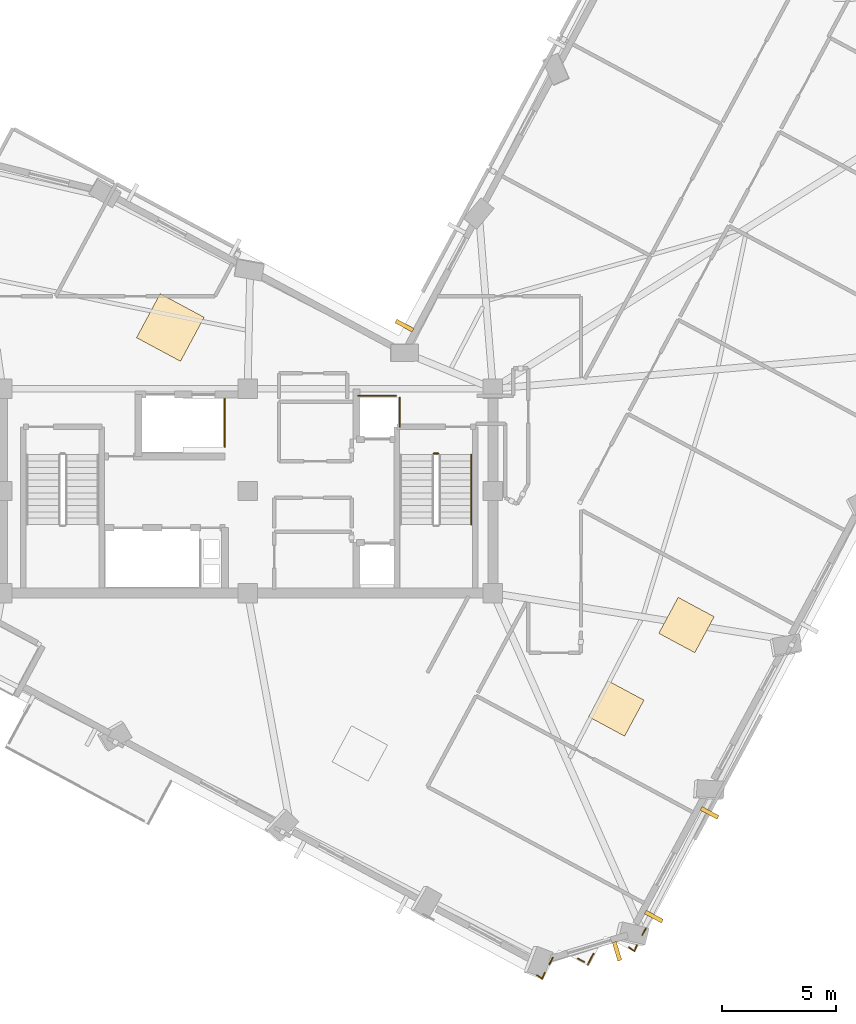
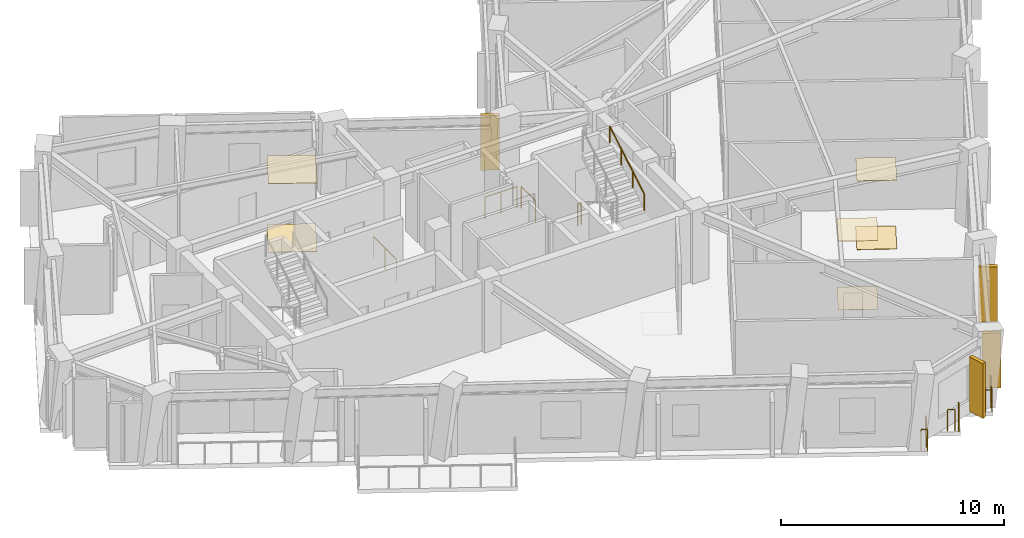
# One storey, part 12 of 14: 11 railings, 6 coverings, 4 shading devices.
"""IFC4 building model written with IfcOpenShell, lengths in metres."""

from ifc_helpers import new_model, si_unit, direction, frame, origin, origin_2d, place, context, subcontext, project, spatial, rectangle, circle, extrude, material, layer, layer_set, type_object, element, save


model = new_model("IFC4")

# Units and contexts
model_context = context("Model", 3, precision=1e-05, world=origin(), true_north=direction((0.0, 1.0)))
body_context = subcontext(model_context, "Body", "Model", "MODEL_VIEW")
ifc_project = project(units=[si_unit("LENGTHUNIT", "METRE"), si_unit("AREAUNIT", "SQUARE_METRE"), si_unit("VOLUMEUNIT", "CUBIC_METRE"), si_unit("PLANEANGLEUNIT", "RADIAN"), si_unit("MASSUNIT", "GRAM", prefix="KILO")], contexts=[model_context])

# Site, building, storey
site_placement = place(None, origin())
site = spatial("IfcSite", under=ifc_project, at=site_placement, CompositionType="ELEMENT")
building_placement = place(site_placement, origin())
building = spatial("IfcBuilding", under=site, at=building_placement, Name="Gaonmaruhae Medical Tower", CompositionType="ELEMENT")
storey_placement = place(building_placement, frame((0.0, 0.0, 288.60009765625)))
storey = spatial("IfcBuildingStorey", under=building, at=storey_placement, Name="L69", CompositionType="ELEMENT", Elevation=288.60009765625)

# Coverings
ifc_material_1 = material(Name="Acoustic mineral ceiling tile", Category="finish")
ifc_layer_1 = layer(ifc_material_1, 0.02490234375)
ifc_layer_set_1 = layer_set([ifc_layer_1], Name="Acoustic mineral ceiling tile")
covering_type_1 = type_object("IfcCoveringType", Name="CLG-01 Antimicrobial Acoustic Mineral Ceiling", PredefinedType="CEILING", material=ifc_layer_set_1)
covering_1_placement = place(storey_placement, frame((21.39599609375, 19.49755859375, 3.7548828125), z_axis=(0.0, 0.0, 1.0), x_axis=(0.473319667185, 0.880890738205, 0.0)))
element("IfcCovering", 1, at=covering_1_placement, inside=storey, type_object=covering_type_1, Name="L69 Clinical Corridor Acoustic Ceiling", PredefinedType="CEILING", context=body_context, shape_type="SweptSolid", body=[
    extrude(rectangle(XDim=2.199951171875, YDim=2.199951171875, at=origin_2d()), origin(), (0.0, 0.0, 1.0), 0.02490234375),
])
for number, where, z_axis, x_axis, name in (
    (2, (41.03515625, 2.720947265625, 3.7548828125), (0.0, 0.0, 1.0), (0.473319667185, 0.880890738205, 0.0), "L69 Clinical Room Acoustic Ceiling 3"),
    (3, (44.1259765625, 6.395751953125, 3.7548828125), (0.0, 0.0, 1.0), (0.473319667185, 0.880890738205, 0.0), "L69 Clinical Room Acoustic Ceiling 4"),
):
    element("IfcCovering", number, at=place(storey_placement, frame(where, z_axis=z_axis, x_axis=x_axis)), inside=storey, type_object=covering_type_1, Name=name, PredefinedType="CEILING", context=body_context, shape_type="SweptSolid", body=[
        extrude(rectangle(XDim=1.800048828125, YDim=1.800048828125, at=origin_2d()), origin(), (0.0, 0.0, 1.0), 0.02490234375),
    ])
ifc_material_2 = material(Name="Seamless clinical vinyl flooring", Category="finish")
ifc_layer_2 = layer(ifc_material_2, 0.014892578125)
ifc_layer_set_2 = layer_set([ifc_layer_2], Name="Seamless clinical vinyl flooring")
covering_type_2 = type_object("IfcCoveringType", Name="FLR-01 Seamless Clinical Antistatic Vinyl Flooring", PredefinedType="FLOORING", material=ifc_layer_set_2)
covering_2_placement = place(storey_placement, frame((21.39599609375, 19.49755859375, 0.00048828125), z_axis=(0.0, 0.0, 1.0), x_axis=(0.473319667185, 0.880890738205, 0.0)))
element("IfcCovering", 4, at=covering_2_placement, inside=storey, type_object=covering_type_2, Name="L69 Clinical Corridor Vinyl Flooring", PredefinedType="FLOORING", context=body_context, shape_type="SweptSolid", body=[
    extrude(rectangle(XDim=2.199951171875, YDim=2.199951171875, at=origin_2d()), origin(), (0.0, 0.0, 1.0), 0.014892578125),
])
for number, where, z_axis, x_axis, name in (
    (5, (41.03515625, 2.720947265625, 0.0), (0.0, 0.0, 1.0), (0.473319667185, 0.880890738205, 0.0), "L69 Clinical Room Vinyl Flooring 3"),
    (6, (44.1259765625, 6.395751953125, 0.0), (0.0, 0.0, 1.0), (0.473319667185, 0.880890738205, 0.0), "L69 Clinical Room Vinyl Flooring 4"),
):
    element("IfcCovering", number, at=place(storey_placement, frame(where, z_axis=z_axis, x_axis=x_axis)), inside=storey, type_object=covering_type_2, Name=name, PredefinedType="FLOORING", context=body_context, shape_type="SweptSolid", body=[
        extrude(rectangle(XDim=1.800048828125, YDim=1.800048828125, at=origin_2d()), origin(), (0.0, 0.0, 1.0), 0.014892578125),
    ])

# Railings
ifc_material_3 = material(Name="Stainless steel 316L and laminated safety glass", Category="steel")
ifc_layer_3 = layer(ifc_material_3, 0.080078125)
ifc_layer_set_3 = layer_set([ifc_layer_3], Name="Stainless steel 316L and laminated safety glass")
railing_type_1 = type_object("IfcRailingType", Name="GD-120 Outdoor Terrace Safety Glass & Steel Balustrade", PredefinedType="BALUSTRADE", material=ifc_layer_set_3)
railing_1_placement = place(storey_placement, frame((42.338134765625, -6.9599609375, 0.0)))
element("IfcRailing", 7, at=railing_1_placement, inside=storey, type_object=railing_type_1, Name="L69 Perimeter Slab Edge Safety Balustrade 05", PredefinedType="BALUSTRADE", context=body_context, shape_type="SweptSolid", body=[
    extrude(circle(Radius=0.02392578125, at=origin_2d()), frame((0.0, 0.0, 1.17578125), z_axis=(-0.473457048557, -0.880816906724, 0.0), x_axis=(0.880816906724, -0.473457048557, 0.0)), (0.0, 0.0, 1.0), 0.33984375),
    extrude(circle(Radius=0.02099609375, at=origin_2d()), origin(), (0.0, 0.0, 1.0), 1.15185546875),
    extrude(circle(Radius=0.02099609375, at=origin_2d()), frame((-0.160888671875, -0.29931640625, 0.0)), (0.0, 0.0, 1.0), 1.15185546875),
])
railing_2_placement = place(storey_placement, frame((40.032958984375, -8.081298828125, 0.0)))
element("IfcRailing", 8, at=railing_2_placement, inside=storey, type_object=railing_type_1, Name="L69 Perimeter Slab Edge Safety Balustrade 06", PredefinedType="BALUSTRADE", context=body_context, shape_type="SweptSolid", body=[
    extrude(circle(Radius=0.02392578125, at=origin_2d()), frame((0.0, 0.0, 1.17578125), z_axis=(-0.473527684699, -0.880778934707, 0.0), x_axis=(0.880778934707, -0.473527684699, 0.0)), (0.0, 0.0, 1.0), 0.559814453125),
    extrude(circle(Radius=0.02099609375, at=origin_2d()), origin(), (0.0, 0.0, 1.0), 1.15185546875),
    extrude(circle(Radius=0.02099609375, at=origin_2d()), frame((-0.26513671875, -0.4931640625, 0.0)), (0.0, 0.0, 1.0), 1.15185546875),
])
railing_3_placement = place(storey_placement, frame((39.6298828125, -8.443603515625, 0.0)))
element("IfcRailing", 9, at=railing_3_placement, inside=storey, type_object=railing_type_1, Name="L69 Perimeter Slab Edge Safety Balustrade 07", PredefinedType="BALUSTRADE", context=body_context, shape_type="SweptSolid", body=[
    extrude(circle(Radius=0.02392578125, at=origin_2d()), frame((0.0, 0.0, 1.17578125), z_axis=(-0.880878962695, 0.473341581822, 0.0), x_axis=(-0.473341581822, -0.880878962695, 0.0)), (0.0, 0.0, 1.0), 0.326416015625),
    extrude(circle(Radius=0.02099609375, at=origin_2d()), origin(), (0.0, 0.0, 1.0), 1.15185546875),
    extrude(circle(Radius=0.02099609375, at=origin_2d()), frame((-0.28759765625, 0.154541015625, 0.0)), (0.0, 0.0, 1.0), 1.15185546875),
])
railing_4_placement = place(storey_placement, frame((38.23828125, -8.252197265625, 0.0)))
element("IfcRailing", 10, at=railing_4_placement, inside=storey, type_object=railing_type_1, Name="L69 Perimeter Slab Edge Safety Balustrade 08", PredefinedType="BALUSTRADE", context=body_context, shape_type="SweptSolid", body=[
    extrude(circle(Radius=0.02392578125, at=origin_2d()), frame((0.0, 0.0, 1.17578125), z_axis=(-0.473921508113, -0.880567092361, 0.0), x_axis=(0.880567092361, -0.473921508113, 0.0)), (0.0, 0.0, 1.0), 0.32666015625),
    extrude(circle(Radius=0.02099609375, at=origin_2d()), origin(), (0.0, 0.0, 1.0), 1.15185546875),
    extrude(circle(Radius=0.02099609375, at=origin_2d()), frame((-0.15478515625, -0.28759765625, 0.0)), (0.0, 0.0, 1.0), 1.15185546875),
])
railing_5_placement = place(storey_placement, frame((41.941162109375, -7.698974609375, 0.0)))
element("IfcRailing", 11, at=railing_5_placement, inside=storey, type_object=railing_type_1, Name="L69 Perimeter Corner Safety Balustrade 13", PredefinedType="BALUSTRADE", context=body_context, shape_type="SweptSolid", body=[
    extrude(circle(Radius=0.02392578125, at=origin_2d()), frame((0.0, 0.0, 1.17578125), z_axis=(-0.363020566712, -0.931781126737, 0.0), x_axis=(0.931781126737, -0.363020566712, 0.0)), (0.0, 0.0, 1.0), 0.287109375),
    extrude(circle(Radius=0.02392578125, at=origin_2d()), frame((-0.104248046875, -0.267578125, 1.17578125), z_axis=(-0.816425418474, 0.577450894942, 0.0), x_axis=(-0.577450894942, -0.816425418474, 0.0)), (0.0, 0.0, 1.0), 0.287109375),
    extrude(circle(Radius=0.02099609375, at=origin_2d()), origin(), (0.0, 0.0, 1.0), 1.15185546875),
    extrude(circle(Radius=0.02099609375, at=origin_2d()), frame((-0.104248046875, -0.267578125, 0.0)), (0.0, 0.0, 1.0), 1.15185546875),
    extrude(circle(Radius=0.02099609375, at=origin_2d()), frame((-0.338623046875, -0.101806640625, 0.0)), (0.0, 0.0, 1.0), 1.15185546875),
])
railing_6_placement = place(storey_placement, frame((37.87841796875, -8.921630859375, 0.0)))
element("IfcRailing", 12, at=railing_6_placement, inside=storey, type_object=railing_type_1, Name="L69 Perimeter Corner Safety Balustrade 14", PredefinedType="BALUSTRADE", context=body_context, shape_type="SweptSolid", body=[
    extrude(circle(Radius=0.02392578125, at=origin_2d()), frame((0.0, 0.0, 1.17578125), z_axis=(-0.362282097953, -0.932068496143, 0.0), x_axis=(0.932068496143, -0.362282097953, 0.0)), (0.0, 0.0, 1.0), 0.287109375),
    extrude(circle(Radius=0.02392578125, at=origin_2d()), frame((-0.10400390625, -0.267578125, 1.17578125), z_axis=(-0.817109223057, 0.576482885778, 0.0), x_axis=(-0.576482885778, -0.817109223057, 0.0)), (0.0, 0.0, 1.0), 0.287109375),
    extrude(circle(Radius=0.02099609375, at=origin_2d()), origin(), (0.0, 0.0, 1.0), 1.15185546875),
    extrude(circle(Radius=0.02099609375, at=origin_2d()), frame((-0.10400390625, -0.267578125, 0.0)), (0.0, 0.0, 1.0), 1.15185546875),
    extrude(circle(Radius=0.02099609375, at=origin_2d()), frame((-0.338623046875, -0.10205078125, 0.0)), (0.0, 0.0, 1.0), 1.15185546875),
])
ifc_material_4 = material(Name="Stainless steel 304 handrail", Category="steel")
railing_type_2 = type_object("IfcRailingType", Name="HR-092 Continuous Stainless Steel Stair Handrail", PredefinedType="HANDRAIL", material=ifc_material_4)
railing_7_placement = place(storey_placement, frame((34.64990234375, 10.820068359375, 2.16650390625)))
element("IfcRailing", 13, at=railing_7_placement, inside=storey, type_object=railing_type_2, Name="L69 ST-02 stair handrail 2", PredefinedType="HANDRAIL", context=body_context, shape_type="SweptSolid", body=[
    extrude(circle(Radius=0.02392578125, at=origin_2d()), frame((0.0, 0.0, 0.8759765625), z_axis=(0.0, 0.859260807169, 0.511537745687), x_axis=(-1.0, 0.0, 0.0)), (0.0, 0.0, 1.0), 3.584228515625),
    extrude(circle(Radius=0.02099609375, at=origin_2d()), origin(), (0.0, 0.0, 1.0), 0.851806640625),
    extrude(circle(Radius=0.02099609375, at=origin_2d()), frame((0.0, 1.026611328125, 0.611083984375)), (0.0, 0.0, 1.0), 0.851806640625),
    extrude(circle(Radius=0.02099609375, at=origin_2d()), frame((0.0, 2.05322265625, 1.222412109375)), (0.0, 0.0, 1.0), 0.851806640625),
    extrude(circle(Radius=0.02099609375, at=origin_2d()), frame((0.0, 3.079833984375, 1.83349609375)), (0.0, 0.0, 1.0), 0.851806640625),
])

# Shading devices
ifc_material_5 = material(Name="Pigmented coral precast concrete C45/55", Category="concrete")
shading_device_type = type_object("IfcShadingDeviceType", Name="SD-FIN1 Tower Vertical Coral Precast Shading Fin", PredefinedType="USERDEFINED", material=ifc_material_5)
for number, where, z_axis, x_axis, name in (
    (14, (45.14306640625, -1.877197265625, 0.13232421875), (0.0, 0.0, 1.0), (-0.473335041556, -0.880882477085, 0.0), "L69 Vertical Coral Precast Shading Fin S01"),
    (15, (42.68896484375, -6.4443359375, 0.13232421875), (0.0, 0.0, 1.0), (-0.473335041556, -0.880882477085, 0.0), "L69 Vertical Coral Precast Shading Fin S01B"),
    (16, (31.70849609375, 19.578857421875, 0.13232421875), (0.0, 0.0, 1.0), (0.473319667185, 0.880890738205, 0.0), "L69 Vertical Coral Precast Shading Fin EN02"),
    (17, (41.06689453125, -7.969970703125, 0.13232421875), (0.0, 0.0, 1.0), (-0.957571360805, -0.288196268134, 0.0), "L69 Vertical Coral Precast Shading Fin W06"),
):
    element("IfcShadingDevice", number, at=place(storey_placement, frame(where, z_axis=z_axis, x_axis=x_axis)), inside=storey, type_object=shading_device_type, Name=name, ObjectType="FIN", PredefinedType="USERDEFINED", context=body_context, shape_type="SweptSolid", body=[
        extrude(rectangle(XDim=0.179931640625, YDim=0.85009765625, at=origin_2d()), origin(), (0.0, 0.0, 1.0), 3.0),
    ])

# Railings
ifc_material_6 = material(Name="Stainless steel 304 balustrade", Category="steel")
railing_type_3 = type_object("IfcRailingType", Name="SG-112 Stair Well & Ramp Void Safety Balustrade", PredefinedType="BALUSTRADE", material=ifc_material_6)
railing_8_placement = place(storey_placement, frame((33.0, 13.949951171875, 0.0)))
element("IfcRailing", 18, at=railing_8_placement, inside=storey, type_object=railing_type_3, Name="L69 ST-02 stair guard 4", PredefinedType="BALUSTRADE", context=body_context, shape_type="SweptSolid", body=[
    extrude(circle(Radius=0.02392578125, at=origin_2d()), frame((0.0, 0.0, 1.17578125), z_axis=(1.0, 0.0, 0.0), x_axis=(0.0, 1.0, 0.0)), (0.0, 0.0, 1.0), 0.199951171875),
    extrude(circle(Radius=0.02099609375, at=origin_2d()), origin(), (0.0, 0.0, 1.0), 1.15185546875),
    extrude(circle(Radius=0.02099609375, at=origin_2d()), frame((0.199951171875, 0.0, 0.0)), (0.0, 0.0, 1.0), 1.15185546875),
])
railing_9_placement = place(storey_placement, frame((23.794921875, 16.35498046875, 0.0)))
element("IfcRailing", 19, at=railing_9_placement, inside=storey, type_object=railing_type_3, Name="L69 Shaft Edge Safety Guard 16", PredefinedType="BALUSTRADE", context=body_context, shape_type="SweptSolid", body=[
    extrude(circle(Radius=0.02392578125, at=origin_2d()), frame((0.0, 0.0, 1.17578125), z_axis=(0.0, -1.0, 0.0), x_axis=(1.0, 0.0, 0.0)), (0.0, 0.0, 1.0), 2.10986328125),
    extrude(circle(Radius=0.02099609375, at=origin_2d()), origin(), (0.0, 0.0, 1.0), 1.15185546875),
    extrude(circle(Radius=0.02099609375, at=origin_2d()), frame((0.0, -1.054931640625, 0.0)), (0.0, 0.0, 1.0), 1.15185546875),
    extrude(circle(Radius=0.02099609375, at=origin_2d()), frame((0.0, -2.10986328125, 0.0)), (0.0, 0.0, 1.0), 1.15185546875),
])
railing_10_placement = place(storey_placement, frame((31.4951171875, 16.405029296875, 0.0)))
element("IfcRailing", 20, at=railing_10_placement, inside=storey, type_object=railing_type_3, Name="L69 Shaft Edge Safety Guard 17", PredefinedType="BALUSTRADE", context=body_context, shape_type="SweptSolid", body=[
    extrude(circle(Radius=0.02392578125, at=origin_2d()), frame((0.0, 0.0, 1.17578125), z_axis=(0.0, -1.0, 0.0), x_axis=(1.0, 0.0, 0.0)), (0.0, 0.0, 1.0), 1.284912109375),
    extrude(circle(Radius=0.02099609375, at=origin_2d()), origin(), (0.0, 0.0, 1.0), 1.15185546875),
    extrude(circle(Radius=0.02099609375, at=origin_2d()), frame((0.0, -1.284912109375, 0.0)), (0.0, 0.0, 1.0), 1.15185546875),
])
railing_11_placement = place(storey_placement, frame((29.6630859375, 16.4951171875, 0.0)))
element("IfcRailing", 21, at=railing_11_placement, inside=storey, type_object=railing_type_3, Name="L69 Shaft Edge Safety Guard 18", PredefinedType="BALUSTRADE", context=body_context, shape_type="SweptSolid", body=[
    extrude(circle(Radius=0.02392578125, at=origin_2d()), frame((0.0, 0.0, 1.17578125), z_axis=(1.0, 0.0, 0.0), x_axis=(0.0, 1.0, 0.0)), (0.0, 0.0, 1.0), 1.673828125),
    extrude(circle(Radius=0.02099609375, at=origin_2d()), origin(), (0.0, 0.0, 1.0), 1.15185546875),
    extrude(circle(Radius=0.02099609375, at=origin_2d()), frame((0.8369140625, 0.0, 0.0)), (0.0, 0.0, 1.0), 1.15185546875),
    extrude(circle(Radius=0.02099609375, at=origin_2d()), frame((1.673828125, 0.0, 0.0)), (0.0, 0.0, 1.0), 1.15185546875),
])

save(model, "model.ifc")
